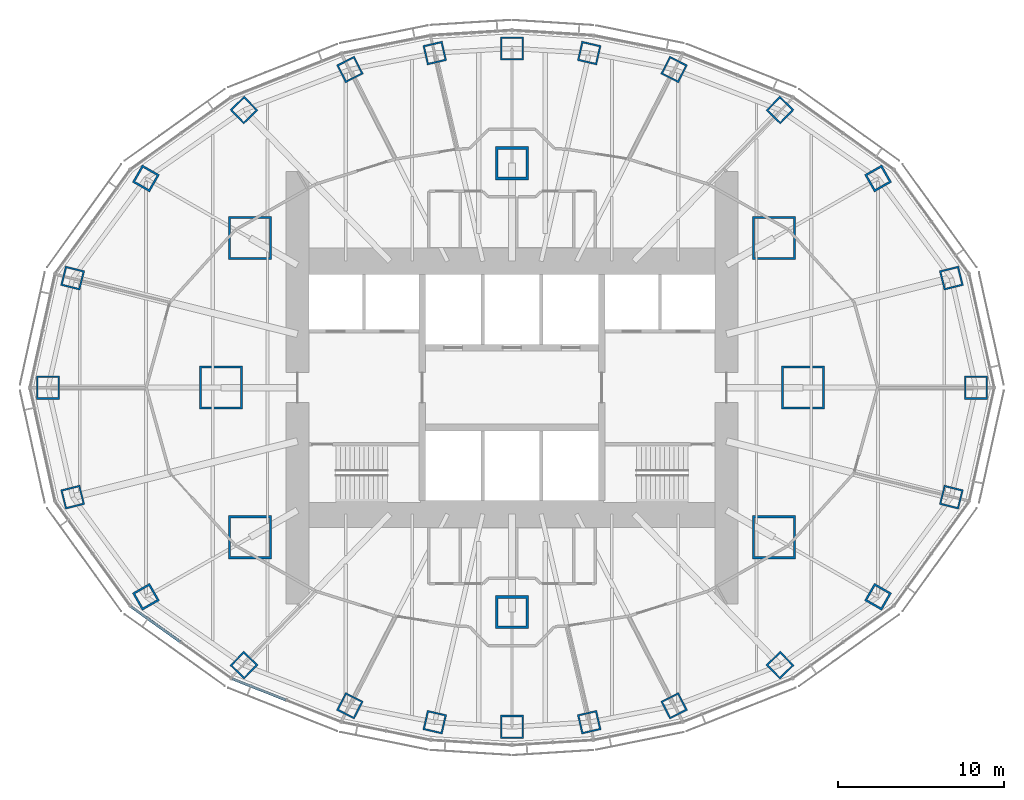
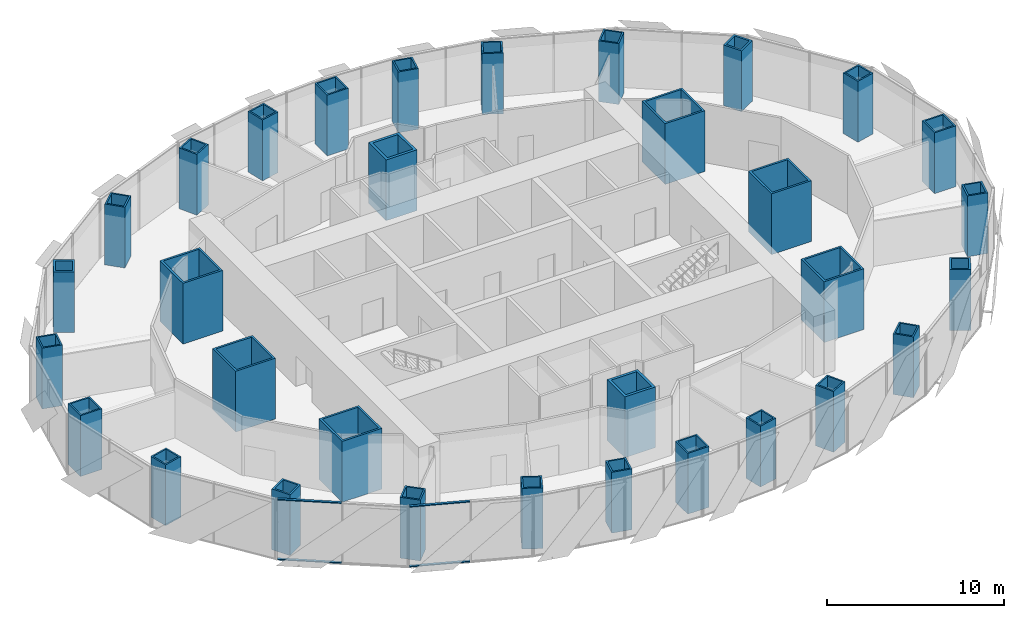
# One storey, part 1 of 18: 32 columns, 4 members, 2 elements without a shape of their own.
"""IFC4 building model written with IfcOpenShell, lengths in metres."""

from ifc_helpers import new_model, si_unit, direction, frame, origin, origin_2d, place, context, subcontext, project, spatial, rectangle, hollow_rectangle, extrude, material, material_profile, profile_set, type_object, element, aggregate, save


model = new_model("IFC4")

# Units and contexts
model_context = context("Model", 3, precision=1e-05, world=origin(), true_north=direction((0.0, 1.0)))
body_context = subcontext(model_context, "Body", "Model", "MODEL_VIEW")
ifc_project = project(units=[si_unit("LENGTHUNIT", "METRE"), si_unit("AREAUNIT", "SQUARE_METRE"), si_unit("VOLUMEUNIT", "CUBIC_METRE"), si_unit("PLANEANGLEUNIT", "RADIAN"), si_unit("MASSUNIT", "GRAM", prefix="KILO")], contexts=[model_context])

# Site, building, storey
site_placement = place(None, origin())
site = spatial("IfcSite", under=ifc_project, at=site_placement, CompositionType="ELEMENT")
building_placement = place(site_placement, origin())
building = spatial("IfcBuilding", under=site, at=building_placement, Name="Lantaw Convention Tower", CompositionType="ELEMENT")
storey_placement = place(building_placement, frame((0.0, 0.0, 176.199951171875)))
storey = spatial("IfcBuildingStorey", under=building, at=storey_placement, Name="L41", CompositionType="ELEMENT", Elevation=176.199951171875)

# Columns
ifc_material_1 = material(Name="Steel EN 10025-3 S460N", Category="steel")
ifc_material_profile_1 = material_profile(ifc_material_1, hollow_rectangle(XDim=2.0, YDim=2.0, WallThickness=0.169921875, at=origin_2d()), Name="BOX2000X170")
ifc_material_2 = material(Name="Concrete C60/75", Category="concrete")
ifc_material_profile_2 = material_profile(ifc_material_2, rectangle(XDim=1.659912109375, YDim=1.659912109375, at=origin_2d()), Name="Concrete fill of BOX2000X170")
ifc_profile_set_1 = profile_set([ifc_material_profile_1, ifc_material_profile_2], Name="Steel EN 10025-3 S460N")
column_type_1 = type_object("IfcColumnType", Name="Column MC BOX2000X170", PredefinedType="COLUMN", material=ifc_profile_set_1)
for number, where, z_axis, x_axis, name in (
    (1, (0.0, 13.5, 0.0), (0.0, 0.0, 1.0), (1.0, 0.0, 0.0), "Mega column M3"),
    (2, (0.0, -13.5, 0.0), (0.0, 0.0, 1.0), (1.0, 0.0, 0.0), "Mega column M7"),
):
    element("IfcColumn", number, at=place(storey_placement, frame(where, z_axis=z_axis, x_axis=x_axis)), inside=storey, type_object=column_type_1, Name=name, PredefinedType="COLUMN", context=body_context, shape_type="SweptSolid", body=[
        extrude(hollow_rectangle(XDim=2.0, YDim=2.0, WallThickness=0.169921875, at=origin_2d()), origin(), (0.0, 0.0, 1.0), 4.199951171875),
    ])
ifc_material_profile_3 = material_profile(ifc_material_1, hollow_rectangle(XDim=2.60009765625, YDim=2.60009765625, WallThickness=0.1298828125, at=origin_2d()), Name="BOX2600X130")
ifc_material_profile_4 = material_profile(ifc_material_2, rectangle(XDim=2.340087890625, YDim=2.340087890625, at=origin_2d()), Name="Concrete fill of BOX2600X130")
ifc_profile_set_2 = profile_set([ifc_material_profile_3, ifc_material_profile_4], Name="Steel EN 10025-3 S460N")
column_type_2 = type_object("IfcColumnType", Name="Column MC BOX2600X130", PredefinedType="COLUMN", material=ifc_profile_set_2)
for number, where, z_axis, x_axis, name in (
    (3, (17.5, 0.0, 0.0), (0.0, 0.0, 1.0), (1.0, 0.0, 0.0), "Mega column M1"),
    (4, (15.75, 9.0, 0.0), (0.0, 0.0, 1.0), (1.0, 0.0, 0.0), "Mega column M2"),
    (5, (-15.75, 9.0, 0.0), (0.0, 0.0, 1.0), (1.0, 0.0, 0.0), "Mega column M4"),
    (6, (-17.5, 0.0, 0.0), (0.0, 0.0, 1.0), (1.0, 0.0, 0.0), "Mega column M5"),
    (7, (-15.75, -9.0, 0.0), (0.0, 0.0, 1.0), (1.0, 0.0, 0.0), "Mega column M6"),
    (8, (15.75, -9.0, 0.0), (0.0, 0.0, 1.0), (1.0, 0.0, 0.0), "Mega column M8"),
):
    element("IfcColumn", number, at=place(storey_placement, frame(where, z_axis=z_axis, x_axis=x_axis)), inside=storey, type_object=column_type_2, Name=name, PredefinedType="COLUMN", context=body_context, shape_type="SweptSolid", body=[
        extrude(hollow_rectangle(XDim=2.60009765625, YDim=2.60009765625, WallThickness=0.1298828125, at=origin_2d()), origin(), (0.0, 0.0, 1.0), 4.199951171875),
    ])
ifc_material_profile_5 = material_profile(ifc_material_1, hollow_rectangle(XDim=1.199951171875, YDim=1.199951171875, WallThickness=0.10009765625, at=origin_2d()), Name="BOX1200X100")
ifc_material_profile_6 = material_profile(ifc_material_2, rectangle(XDim=1.0, YDim=1.0, at=origin_2d()), Name="Concrete fill of BOX1200X100")
ifc_profile_set_3 = profile_set([ifc_material_profile_5, ifc_material_profile_6], Name="Steel EN 10025-3 S460N")
column_type_3 = type_object("IfcColumnType", Name="Column PC BOX1200X100", PredefinedType="COLUMN", material=ifc_profile_set_3)
for number, where, z_axis, x_axis, name in (
    (9, (26.419921875, 6.587158203125, 0.0), (0.0, 0.0, 1.0), (0.970295726276, 0.2419218956, 0.0), "Perimeter column P2"),
    (10, (16.11767578125, 16.690185546875, 0.0), (0.0, 0.0, 1.0), (0.694658370459, 0.719339800339, 0.0), "Perimeter column P4"),
    (11, (9.74853515625, 19.1328125, 0.0), (0.0, 0.0, 1.0), (0.45399049974, 0.891006524188, 0.0), "Perimeter column P5"),
    (12, (4.64501953125, 20.1201171875, 0.0), (0.0, 0.0, 1.0), (0.224951054344, 0.974370064785, 0.0), "Perimeter column P6"),
    (13, (-4.64501953125, 20.1201171875, 0.0), (0.0, 0.0, 1.0), (0.974370064785, 0.224951054344, 0.0), "Perimeter column P8"),
    (14, (-9.74853515625, 19.1328125, 0.0), (0.0, 0.0, 1.0), (0.891006524188, 0.45399049974, 0.0), "Perimeter column P9"),
    (15, (-16.11767578125, 16.690185546875, 0.0), (0.0, 0.0, 1.0), (0.719339800339, 0.694658370459, 0.0), "Perimeter column P10"),
    (16, (-26.419921875, 6.587158203125, 0.0), (0.0, 0.0, 1.0), (0.2419218956, 0.970295726276, 0.0), "Perimeter column P12"),
    (17, (-26.419921875, -6.587158203125, 0.0), (0.0, 0.0, 1.0), (0.970295726276, 0.2419218956, 0.0), "Perimeter column P14"),
    (18, (-16.11767578125, -16.690185546875, 0.0), (0.0, 0.0, 1.0), (0.694658370459, 0.719339800339, 0.0), "Perimeter column P16"),
    (19, (-9.74853515625, -19.1328125, 0.0), (0.0, 0.0, 1.0), (0.45399049974, 0.891006524188, 0.0), "Perimeter column P17"),
    (20, (-4.64501953125, -20.1201171875, 0.0), (0.0, 0.0, 1.0), (0.224951054344, 0.974370064785, 0.0), "Perimeter column P18"),
    (21, (4.64501953125, -20.1201171875, 0.0), (0.0, 0.0, 1.0), (0.974370064785, 0.224951054344, 0.0), "Perimeter column P20"),
    (22, (9.74853515625, -19.1328125, 0.0), (0.0, 0.0, 1.0), (0.891006524188, 0.45399049974, 0.0), "Perimeter column P21"),
    (23, (16.11767578125, -16.690185546875, 0.0), (0.0, 0.0, 1.0), (0.719339800339, 0.694658370459, 0.0), "Perimeter column P22"),
    (24, (26.419921875, -6.587158203125, 0.0), (0.0, 0.0, 1.0), (0.2419218956, 0.970295726276, 0.0), "Perimeter column P24"),
):
    element("IfcColumn", number, at=place(storey_placement, frame(where, z_axis=z_axis, x_axis=x_axis)), inside=storey, type_object=column_type_3, Name=name, PredefinedType="COLUMN", context=body_context, shape_type="SweptSolid", body=[
        extrude(hollow_rectangle(XDim=1.199951171875, YDim=1.199951171875, WallThickness=0.10009765625, at=origin_2d()), origin(), (0.0, 0.0, 1.0), 4.199951171875),
    ])
ifc_material_profile_7 = material_profile(ifc_material_1, hollow_rectangle(XDim=1.199951171875, YDim=1.199951171875, WallThickness=0.1201171875, at=origin_2d()), Name="BOX1200X120")
ifc_material_profile_8 = material_profile(ifc_material_2, rectangle(XDim=0.9599609375, YDim=0.9599609375, at=origin_2d()), Name="Concrete fill of BOX1200X120")
ifc_profile_set_4 = profile_set([ifc_material_profile_7, ifc_material_profile_8], Name="Steel EN 10025-3 S460N")
column_type_4 = type_object("IfcColumnType", Name="Column PC BOX1200X120", PredefinedType="COLUMN", material=ifc_profile_set_4)
for number, where, z_axis, x_axis, name in (
    (25, (22.013916015625, 12.579345703125, 0.0), (0.0, 0.0, 1.0), (0.86824298017, 0.496139221777, 0.0), "Perimeter column P3"),
    (26, (-22.013916015625, 12.579345703125, 0.0), (0.0, 0.0, 1.0), (0.496139221777, 0.86824298017, 0.0), "Perimeter column P11"),
    (27, (-22.013916015625, -12.579345703125, 0.0), (0.0, 0.0, 1.0), (0.86824298017, 0.496139221777, 0.0), "Perimeter column P15"),
    (28, (22.013916015625, -12.579345703125, 0.0), (0.0, 0.0, 1.0), (0.496139221777, 0.86824298017, 0.0), "Perimeter column P23"),
):
    element("IfcColumn", number, at=place(storey_placement, frame(where, z_axis=z_axis, x_axis=x_axis)), inside=storey, type_object=column_type_4, Name=name, PredefinedType="COLUMN", context=body_context, shape_type="SweptSolid", body=[
        extrude(hollow_rectangle(XDim=1.199951171875, YDim=1.199951171875, WallThickness=0.1201171875, at=origin_2d()), origin(), (0.0, 0.0, 1.0), 4.199951171875),
    ])
ifc_material_profile_9 = material_profile(ifc_material_1, hollow_rectangle(XDim=1.39990234375, YDim=1.39990234375, WallThickness=0.10009765625, at=origin_2d()), Name="BOX1400X100")
ifc_material_profile_10 = material_profile(ifc_material_2, rectangle(XDim=1.199951171875, YDim=1.199951171875, at=origin_2d()), Name="Concrete fill of BOX1400X100")
ifc_profile_set_5 = profile_set([ifc_material_profile_9, ifc_material_profile_10], Name="Steel EN 10025-3 S460N")
column_type_5 = type_object("IfcColumnType", Name="Column PC BOX1400X100", PredefinedType="COLUMN", material=ifc_profile_set_5)
for number, where, z_axis, x_axis, name in (
    (29, (27.89990234375, 0.0, 0.0), (0.0, 0.0, 1.0), (1.0, 0.0, 0.0), "Perimeter column P1"),
    (30, (0.0, 20.39990234375, 0.0), (0.0, 0.0, 1.0), (1.0, 0.0, 0.0), "Perimeter column P7"),
    (31, (-27.89990234375, 0.0, 0.0), (0.0, 0.0, 1.0), (1.0, 0.0, 0.0), "Perimeter column P13"),
    (32, (0.0, -20.39990234375, 0.0), (0.0, 0.0, 1.0), (1.0, 0.0, 0.0), "Perimeter column P19"),
):
    element("IfcColumn", number, at=place(storey_placement, frame(where, z_axis=z_axis, x_axis=x_axis)), inside=storey, type_object=column_type_5, Name=name, PredefinedType="COLUMN", context=body_context, shape_type="SweptSolid", body=[
        extrude(hollow_rectangle(XDim=1.39990234375, YDim=1.39990234375, WallThickness=0.10009765625, at=origin_2d()), origin(), (0.0, 0.0, 1.0), 4.199951171875),
    ])

# Curtain wall, members
ifc_material_3 = material(Name="Aluminium framed curtain wall", Category="aluminium")
curtain_wall_type = type_object("IfcCurtainWallType", Name="Office curtain wall low rise, pale aluminium", PredefinedType="USERDEFINED", material=ifc_material_3)
curtain_wall_1_placement = place(storey_placement, origin())
curtain_wall_1 = element("IfcCurtainWall", 33, at=curtain_wall_1_placement, inside=storey, type_object=curtain_wall_type, Name="Office curtain wall low rise, pale aluminium L41", ObjectType="UNITISED CURTAIN WALL", PredefinedType="USERDEFINED")
ifc_material_4 = material(Name="Aluminium 6063-T6", Category="aluminium")
ifc_material_profile_11 = material_profile(ifc_material_4, rectangle(XDim=0.159912109375, YDim=0.06494140625, at=origin_2d()), Name="CW-O1 transom 65x160")
ifc_profile_set_6 = profile_set([ifc_material_profile_11], Name="Aluminium 6063-T6")
member_type = type_object("IfcMemberType", Name="CW-O1 transom 65x160", PredefinedType="USERDEFINED", material=ifc_profile_set_6)
member_1_placement = place(storey_placement, frame((-22.916259765625, -13.1630859375, -0.117431640625), z_axis=(0.813221785972, -0.581953887194, 0.0), x_axis=(0.581953887194, 0.813221785972, 0.0)))
member_1 = element("IfcMember", 34, at=member_1_placement, type_object=member_type, Name="CW-O1 transom 1.1", ObjectType="TRANSOM", PredefinedType="USERDEFINED", context=body_context, shape_type="SweptSolid", body=[
    extrude(rectangle(XDim=0.159912109375, YDim=0.06494140625, at=origin_2d()), origin(), (0.0, 0.0, 1.0), 3.645263671875),
])
member_2_placement = place(storey_placement, frame((-22.916259765625, -13.1630859375, 4.017578125), z_axis=(0.813221785972, -0.581953887194, 0.0), x_axis=(0.581953887194, 0.813221785972, 0.0)))
member_2 = element("IfcMember", 35, at=member_2_placement, type_object=member_type, Name="CW-O1 transom 1.2", ObjectType="TRANSOM", PredefinedType="USERDEFINED", context=body_context, shape_type="SweptSolid", body=[
    extrude(rectangle(XDim=0.159912109375, YDim=0.06494140625, at=origin_2d()), origin(), (0.0, 0.0, 1.0), 3.645263671875),
])
aggregate(curtain_wall_1, [member_1, member_2])

curtain_wall_2_placement = place(storey_placement, origin())
curtain_wall_2 = element("IfcCurtainWall", 36, at=curtain_wall_2_placement, inside=storey, type_object=curtain_wall_type, Name="Office curtain wall low rise, pale aluminium L41", ObjectType="UNITISED CURTAIN WALL", PredefinedType="USERDEFINED")
member_3_placement = place(storey_placement, frame((-16.8212890625, -17.505615234375, -0.117431640625), z_axis=(0.929564188507, -0.368660303592, 0.0), x_axis=(0.368660303592, 0.929564188507, 0.0)))
member_3 = element("IfcMember", 37, at=member_3_placement, type_object=member_type, Name="CW-O1 transom 1.1", ObjectType="TRANSOM", PredefinedType="USERDEFINED", context=body_context, shape_type="SweptSolid", body=[
    extrude(rectangle(XDim=0.159912109375, YDim=0.06494140625, at=origin_2d()), origin(), (0.0, 0.0, 1.0), 3.470703125),
])
member_4_placement = place(storey_placement, frame((-16.8212890625, -17.505615234375, 4.017578125), z_axis=(0.929564188507, -0.368660303592, 0.0), x_axis=(0.368660303592, 0.929564188507, 0.0)))
member_4 = element("IfcMember", 38, at=member_4_placement, type_object=member_type, Name="CW-O1 transom 1.2", ObjectType="TRANSOM", PredefinedType="USERDEFINED", context=body_context, shape_type="SweptSolid", body=[
    extrude(rectangle(XDim=0.159912109375, YDim=0.06494140625, at=origin_2d()), origin(), (0.0, 0.0, 1.0), 3.470703125),
])
aggregate(curtain_wall_2, [member_3, member_4])

save(model, "model.ifc")
